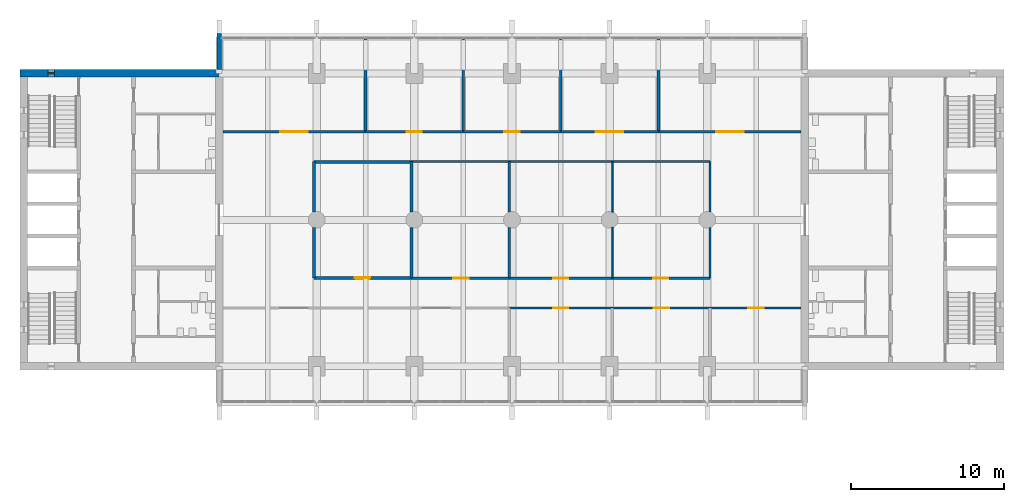
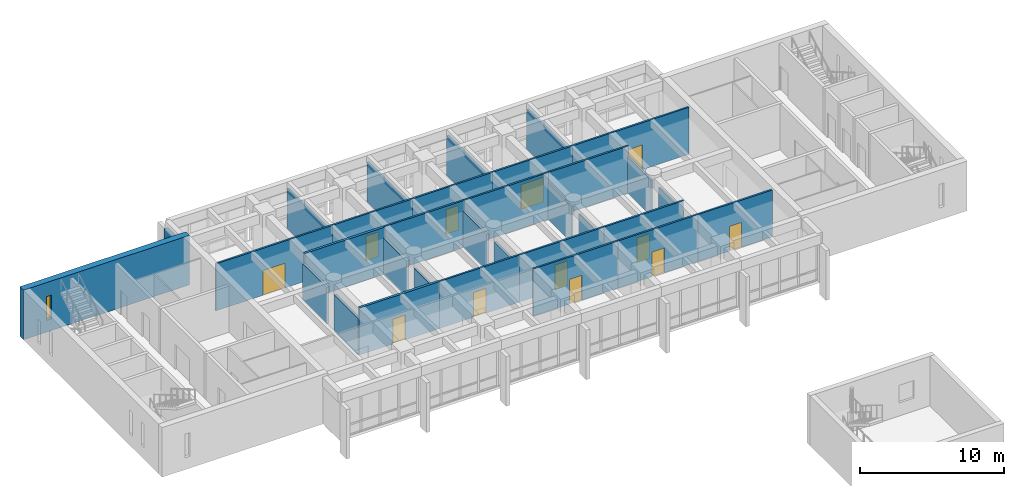
# One storey, part 12 of 18: 32 walls, 12 doors, 1 window, 13 openings.
"""IFC4 building model written with IfcOpenShell, lengths in metres."""

from ifc_helpers import new_model, si_unit, direction, frame, frame_2d, origin, place, context, subcontext, project, spatial, rectangle, extrude, material, layer, layer_set, type_object, element, fill, save


model = new_model("IFC4")

# Units and contexts
model_context = context("Model", 3, precision=1e-05, world=origin(), true_north=direction((0.0, 1.0)))
body_context = subcontext(model_context, "Body", "Model", "MODEL_VIEW")
ifc_project = project(units=[si_unit("LENGTHUNIT", "METRE"), si_unit("AREAUNIT", "SQUARE_METRE"), si_unit("VOLUMEUNIT", "CUBIC_METRE"), si_unit("PLANEANGLEUNIT", "RADIAN"), si_unit("MASSUNIT", "GRAM", prefix="KILO")], contexts=[model_context])

# Site, building, storey
site_placement = place(None, origin())
site = spatial("IfcSite", under=ifc_project, at=site_placement, CompositionType="ELEMENT")
building_placement = place(site_placement, origin())
building = spatial("IfcBuilding", under=site, at=building_placement, Name="Fogon Plaza Fire Station and Headquarters Tower", CompositionType="ELEMENT")
storey_placement = place(building_placement, frame((0.0, 0.0, 12.89990234375)))
storey = spatial("IfcBuildingStorey", under=building, at=storey_placement, Name="L03", CompositionType="ELEMENT", Elevation=12.89990234375)

# Wall
ifc_material_1 = material(Name="Concrete C40", Category="concrete")
ifc_layer_1 = layer(ifc_material_1, 0.300048828125)
ifc_layer_set_1 = layer_set([ifc_layer_1], Name="Concrete C40")
wall_type_1 = type_object("IfcWallType", Name="Fair-faced RC Return Panel 300", PredefinedType="SOLIDWALL", material=ifc_layer_set_1)
wall_1_placement = place(storey_placement, frame((25.60009765625, 53.050048828125, 0.0), z_axis=(0.0, 0.0, 1.0), x_axis=(0.0, 1.0, 0.0)))
element("IfcWall", 1, at=wall_1_placement, inside=storey, type_object=wall_type_1, Name="Bar end return WN L03", PredefinedType="SOLIDWALL", context=body_context, shape_type="SweptSolid", body=[
    extrude(rectangle(XDim=2.349853515625, YDim=0.300048828125, at=frame_2d((1.1748046875, 0.0))), origin(), (0.0, 0.0, 1.0), 3.18017578125),
])

# Wall, opening, window
ifc_material_2 = material(Name="Concrete C40", Category="concrete")
ifc_layer_2 = layer(ifc_material_2, 0.5)
ifc_layer_set_2 = layer_set([ifc_layer_2], Name="Concrete C40")
wall_type_2 = type_object("IfcWallType", Name="Shear wall 500 SW50", PredefinedType="SHEAR", material=ifc_layer_set_2)
wall_2_placement = place(storey_placement, frame((12.550048828125, 52.800048828125, 0.0), z_axis=(0.0, 0.0, 1.0), x_axis=(1.0, 0.0, 0.0)))
wall_2 = element("IfcWall", 2, at=wall_2_placement, inside=storey, type_object=wall_type_2, Name="wall-coreA-N-L03", PredefinedType="SHEAR", context=body_context, shape_type="SweptSolid", body=[
    extrude(rectangle(XDim=13.300048828125, YDim=0.5, at=frame_2d((6.64990234375, 0.0))), origin(), (0.0, 0.0, 1.0), 4.2001953125),
])
opening_1_placement = place(wall_2_placement, frame((1.85009765625, 0.0, 1.0)))
opening_1 = element("IfcOpeningElement", 3, at=opening_1_placement, cuts=wall_2, Name="Opening WS1", PredefinedType="OPENING", context=body_context, shape_type="SweptSolid", body=[
    extrude(rectangle(XDim=0.39990234375, YDim=2.0, at=frame_2d((0.199951171875, 1.0))), frame((0.0, 0.260009765625, 0.0), z_axis=(0.0, -1.0, 0.0), x_axis=(1.0, 0.0, 0.0)), (0.0, 0.0, 1.0), 0.52001953125),
])
ifc_material_3 = material(Name="Aluminium framed double glazing", Category="aluminium")
window_type = type_object("IfcWindowType", Name="Slit Window WS1 400x2000", PartitioningType="SINGLE_PANEL", PredefinedType="WINDOW", material=ifc_material_3)
window_placement = place(opening_1_placement, origin())
window = element("IfcWindow", 4, at=window_placement, inside=storey, type_object=window_type, Name="Slit window A6 L03", OverallHeight=2.0, OverallWidth=0.39990234375, PartitioningType="SINGLE_PANEL", PredefinedType="WINDOW", context=body_context, shape_type="SweptSolid", body=[
    extrude(rectangle(XDim=0.39990234375, YDim=2.0, at=frame_2d((0.199951171875, 1.0))), frame((0.0, 0.030029296875, 0.0), z_axis=(0.0, -1.0, 0.0), x_axis=(1.0, 0.0, 0.0)), (0.0, 0.0, 1.0), 0.06005859375),
])
fill(opening_1, window)

# Walls
ifc_material_4 = material(Name="Double gypsum board on twin steel stud", Category="steel")
ifc_layer_3 = layer(ifc_material_4, 0.175048828125)
ifc_layer_set_3 = layer_set([ifc_layer_3], Name="Double gypsum board on twin steel stud")
wall_type_3 = type_object("IfcWallType", Name="Tower acoustic partition 175 Beam Head 600", PredefinedType="PARTITIONING", material=ifc_layer_set_3)
for number, where, z_axis, x_axis, name in (
    (5, (35.199951171875, 48.97509765625, 0.0), (0.0, 0.0, 1.0), (0.0, 1.0, 0.0), "part-L03-30"),
    (6, (41.60009765625, 48.97509765625, 0.0), (0.0, 0.0, 1.0), (0.0, 1.0, 0.0), "part-L03-31"),
    (7, (48.0, 48.97509765625, 0.0), (0.0, 0.0, 1.0), (0.0, 1.0, 0.0), "part-L03-32"),
    (8, (54.39990234375, 48.97509765625, 0.0), (0.0, 0.0, 1.0), (0.0, 1.0, 0.0), "part-L03-33"),
):
    element("IfcWall", number, at=place(storey_placement, frame(where, z_axis=z_axis, x_axis=x_axis)), inside=storey, type_object=wall_type_3, Name=name, PredefinedType="PARTITIONING", context=body_context, shape_type="SweptSolid", body=[
        extrude(rectangle(XDim=6.125, YDim=0.175048828125, at=frame_2d((3.0625, 0.0))), origin(), (0.0, 0.0, 1.0), 3.380126953125),
    ])
ifc_material_5 = material(Name="Double gypsum board on twin steel stud", Category="steel")
ifc_layer_4 = layer(ifc_material_5, 0.175048828125)
ifc_layer_set_4 = layer_set([ifc_layer_4], Name="Double gypsum board on twin steel stud")
wall_type_4 = type_object("IfcWallType", Name="Tower acoustic partition 175 Beam Head 900", PredefinedType="PARTITIONING", material=ifc_layer_set_4)
for number, where, z_axis, x_axis, name in (
    (9, (44.6201171875, 39.375, 0.0), (0.0, 0.0, 1.0), (0.0, 1.0, 0.0), "part-L03-21"),
    (10, (44.6201171875, 43.69970703125, 0.0), (0.0, 0.0, 1.0), (0.0, 1.0, 0.0), "part-L03-22"),
):
    element("IfcWall", number, at=place(storey_placement, frame(where, z_axis=z_axis, x_axis=x_axis)), inside=storey, type_object=wall_type_4, Name=name, PredefinedType="PARTITIONING", context=body_context, shape_type="SweptSolid", body=[
        extrude(rectangle(XDim=3.3251953125, YDim=0.175048828125, at=frame_2d((1.66259765625, 0.0))), origin(), (0.0, 0.0, 1.0), 3.080078125),
    ])

# Wall, opening, door
ifc_material_6 = material(Name="Concrete block masonry", Category="masonry")
ifc_layer_5 = layer(ifc_material_6, 0.199951171875)
ifc_layer_set_5 = layer_set([ifc_layer_5], Name="Concrete block masonry")
wall_type_5 = type_object("IfcWallType", Name="Tower compartment wall 200 EI 120", PredefinedType="PARTITIONING", material=ifc_layer_set_5)
wall_3_placement = place(storey_placement, frame((31.820068359375, 39.39990234375, 0.0), z_axis=(0.0, 0.0, 1.0), x_axis=(1.0, 0.0, 0.0)))
wall_3 = element("IfcWall", 11, at=wall_3_placement, inside=storey, type_object=wall_type_5, Name="part-L03-11", PredefinedType="PARTITIONING", context=body_context, shape_type="SweptSolid", body=[
    extrude(rectangle(XDim=6.39990234375, YDim=0.199951171875, at=frame_2d((3.199951171875, 0.0))), origin(), (0.0, 0.0, 1.0), 3.97998046875),
])
opening_2_placement = place(wall_3_placement, frame((2.679931640625, 0.0, 0.0)))
opening_2 = element("IfcOpeningElement", 12, at=opening_2_placement, cuts=wall_3, Name="Opening L03-D34", PredefinedType="OPENING", context=body_context, shape_type="SweptSolid", body=[
    extrude(rectangle(XDim=1.0, YDim=2.10009765625, at=frame_2d((0.5, 1.050048828125))), frame((0.0, 0.10986328125, 0.0), z_axis=(0.0, -1.0, 0.0), x_axis=(1.0, 0.0, 0.0)), (0.0, 0.0, 1.0), 0.219970703125),
])
ifc_material_7 = material(Name="Steel fire door", Category="steel")
door_type_1 = type_object("IfcDoorType", Name="Tower compartment door single 1000 EI 90", OperationType="SINGLE_SWING_LEFT", PredefinedType="DOOR", material=ifc_material_7)
door_1_placement = place(opening_2_placement, origin())
door_1 = element("IfcDoor", 13, at=door_1_placement, inside=storey, type_object=door_type_1, Name="door-L03-06", OperationType="SINGLE_SWING_LEFT", OverallHeight=2.10009765625, OverallWidth=1.0, PredefinedType="DOOR", context=body_context, shape_type="SweptSolid", body=[
    extrude(rectangle(XDim=1.0, YDim=2.10009765625, at=frame_2d((0.5, 1.050048828125))), frame((0.0, 0.02490234375, 0.0), z_axis=(0.0, -1.0, 0.0), x_axis=(1.0, 0.0, 0.0)), (0.0, 0.0, 1.0), 0.050048828125),
])
fill(opening_2, door_1)

# Walls
wall_4_placement = place(storey_placement, frame((31.820068359375, 47.0, 0.0), z_axis=(0.0, 0.0, 1.0), x_axis=(1.0, 0.0, 0.0)))
element("IfcWall", 14, at=wall_4_placement, inside=storey, type_object=wall_type_5, Name="part-L03-12", PredefinedType="PARTITIONING", context=body_context, shape_type="SweptSolid", body=[
    extrude(rectangle(XDim=6.39990234375, YDim=0.199951171875, at=frame_2d((3.199951171875, 0.0))), origin(), (0.0, 0.0, 1.0), 3.97998046875),
])
ifc_material_8 = material(Name="Concrete block masonry", Category="masonry")
ifc_layer_6 = layer(ifc_material_8, 0.199951171875)
ifc_layer_set_6 = layer_set([ifc_layer_6], Name="Concrete block masonry")
wall_type_6 = type_object("IfcWallType", Name="Tower compartment wall 200 EI 120 Beam Head 900", PredefinedType="PARTITIONING", material=ifc_layer_set_6)
for number, where, z_axis, x_axis, name in (
    (15, (38.219970703125, 39.375, 0.0), (0.0, 0.0, 1.0), (0.0, 1.0, 0.0), "part-L03-19"),
    (16, (38.219970703125, 43.69970703125, 0.0), (0.0, 0.0, 1.0), (0.0, 1.0, 0.0), "part-L03-20"),
    (17, (31.820068359375, 39.375, 0.0), (0.0, 0.0, 1.0), (0.0, 1.0, 0.0), "part-L03-34"),
    (18, (31.820068359375, 43.69970703125, 0.0), (0.0, 0.0, 1.0), (0.0, 1.0, 0.0), "part-L03-35"),
):
    element("IfcWall", number, at=place(storey_placement, frame(where, z_axis=z_axis, x_axis=x_axis)), inside=storey, type_object=wall_type_6, Name=name, PredefinedType="PARTITIONING", context=body_context, shape_type="SweptSolid", body=[
        extrude(rectangle(XDim=3.3251953125, YDim=0.199951171875, at=frame_2d((1.66259765625, 0.0))), origin(), (0.0, 0.0, 1.0), 3.080078125),
    ])

# Wall, opening, door
ifc_material_9 = material(Name="Gypsum board on steel stud", Category="steel")
ifc_layer_7 = layer(ifc_material_9, 0.14990234375)
ifc_layer_set_7 = layer_set([ifc_layer_7], Name="Gypsum board on steel stud")
wall_type_7 = type_object("IfcWallType", Name="Tower corridor partition 150 EI 60", PredefinedType="PARTITIONING", material=ifc_layer_set_7)
wall_5_placement = place(storey_placement, frame((44.6201171875, 37.425048828125, 0.0), z_axis=(0.0, 0.0, 1.0), x_axis=(1.0, 0.0, 0.0)))
wall_5 = element("IfcWall", 19, at=wall_5_placement, inside=storey, type_object=wall_type_7, Name="part-L03-02", PredefinedType="PARTITIONING", context=body_context, shape_type="SweptSolid", body=[
    extrude(rectangle(XDim=6.759765625, YDim=0.14990234375, at=frame_2d((3.3798828125, 0.0))), origin(), (0.0, 0.0, 1.0), 3.97998046875),
])
opening_3_placement = place(wall_5_placement, frame((2.8798828125, 0.0, 0.0)))
opening_3 = element("IfcOpeningElement", 20, at=opening_3_placement, cuts=wall_5, Name="Opening L03-D31", PredefinedType="OPENING", context=body_context, shape_type="SweptSolid", body=[
    extrude(rectangle(XDim=1.0, YDim=2.10009765625, at=frame_2d((0.5, 1.050048828125))), frame((0.0, 0.0849609375, 0.0), z_axis=(0.0, -1.0, 0.0), x_axis=(1.0, 0.0, 0.0)), (0.0, 0.0, 1.0), 0.169921875),
])
ifc_material_10 = material(Name="Timber fire door", Category="wood")
door_type_2 = type_object("IfcDoorType", Name="Tower fire door single 1000 EI 20", OperationType="SINGLE_SWING_LEFT", PredefinedType="DOOR", material=ifc_material_10)
door_2_placement = place(opening_3_placement, frame((1.0, 0.0, 0.0), z_axis=(0.0, 0.0, 1.0), x_axis=(-1.0, 0.0, 0.0)))
door_2 = element("IfcDoor", 21, at=door_2_placement, inside=storey, type_object=door_type_2, Name="door-L03-03", OperationType="SINGLE_SWING_LEFT", OverallHeight=2.10009765625, OverallWidth=1.0, PredefinedType="DOOR", context=body_context, shape_type="SweptSolid", body=[
    extrude(rectangle(XDim=1.0, YDim=2.10009765625, at=frame_2d((0.5, 1.050048828125))), frame((0.0, 0.02490234375, 0.0), z_axis=(0.0, -1.0, 0.0), x_axis=(1.0, 0.0, 0.0)), (0.0, 0.0, 1.0), 0.050048828125),
])
fill(opening_3, door_2)

wall_6_placement = place(storey_placement, frame((51.3798828125, 37.425048828125, 0.0), z_axis=(0.0, 0.0, 1.0), x_axis=(1.0, 0.0, 0.0)))
wall_6 = element("IfcWall", 22, at=wall_6_placement, inside=storey, type_object=wall_type_7, Name="part-L03-03", PredefinedType="PARTITIONING", context=body_context, shape_type="SweptSolid", body=[
    extrude(rectangle(XDim=6.400146484375, YDim=0.14990234375, at=frame_2d((3.2001953125, 0.0))), origin(), (0.0, 0.0, 1.0), 3.97998046875),
])
opening_4_placement = place(wall_6_placement, frame((2.719970703125, 0.0, 0.0)))
opening_4 = element("IfcOpeningElement", 23, at=opening_4_placement, cuts=wall_6, Name="Opening L03-D32", PredefinedType="OPENING", context=body_context, shape_type="SweptSolid", body=[
    extrude(rectangle(XDim=1.0, YDim=2.10009765625, at=frame_2d((0.5, 1.050048828125))), frame((0.0, 0.0849609375, 0.0), z_axis=(0.0, -1.0, 0.0), x_axis=(1.0, 0.0, 0.0)), (0.0, 0.0, 1.0), 0.169921875),
])
door_3_placement = place(opening_4_placement, frame((1.0, 0.0, 0.0), z_axis=(0.0, 0.0, 1.0), x_axis=(-1.0, 0.0, 0.0)))
door_3 = element("IfcDoor", 24, at=door_3_placement, inside=storey, type_object=door_type_2, Name="door-L03-04", OperationType="SINGLE_SWING_RIGHT", OverallHeight=2.10009765625, OverallWidth=1.0, PredefinedType="DOOR", context=body_context, shape_type="SweptSolid", body=[
    extrude(rectangle(XDim=1.0, YDim=2.10009765625, at=frame_2d((0.5, 1.050048828125))), frame((0.0, 0.02490234375, 0.0), z_axis=(0.0, -1.0, 0.0), x_axis=(1.0, 0.0, 0.0)), (0.0, 0.0, 1.0), 0.050048828125),
])
fill(opening_4, door_3)

wall_7_placement = place(storey_placement, frame((57.780029296875, 37.425048828125, 0.0), z_axis=(0.0, 0.0, 1.0), x_axis=(1.0, 0.0, 0.0)))
wall_7 = element("IfcWall", 25, at=wall_7_placement, inside=storey, type_object=wall_type_7, Name="part-L03-04", PredefinedType="PARTITIONING", context=body_context, shape_type="SweptSolid", body=[
    extrude(rectangle(XDim=5.969970703125, YDim=0.14990234375, at=frame_2d((2.98486328125, 0.0))), origin(), (0.0, 0.0, 1.0), 3.97998046875),
])
opening_5_placement = place(wall_7_placement, frame((2.52001953125, 0.0, 0.0)))
opening_5 = element("IfcOpeningElement", 26, at=opening_5_placement, cuts=wall_7, Name="Opening L03-D33", PredefinedType="OPENING", context=body_context, shape_type="SweptSolid", body=[
    extrude(rectangle(XDim=1.0, YDim=2.10009765625, at=frame_2d((0.5, 1.050048828125))), frame((0.0, 0.0849609375, 0.0), z_axis=(0.0, -1.0, 0.0), x_axis=(1.0, 0.0, 0.0)), (0.0, 0.0, 1.0), 0.169921875),
])
door_4_placement = place(opening_5_placement, frame((1.0, 0.0, 0.0), z_axis=(0.0, 0.0, 1.0), x_axis=(-1.0, 0.0, 0.0)))
door_4 = element("IfcDoor", 27, at=door_4_placement, inside=storey, type_object=door_type_2, Name="door-L03-05", OperationType="SINGLE_SWING_LEFT", OverallHeight=2.10009765625, OverallWidth=1.0, PredefinedType="DOOR", context=body_context, shape_type="SweptSolid", body=[
    extrude(rectangle(XDim=1.0, YDim=2.10009765625, at=frame_2d((0.5, 1.050048828125))), frame((0.0, 0.02490234375, 0.0), z_axis=(0.0, -1.0, 0.0), x_axis=(1.0, 0.0, 0.0)), (0.0, 0.0, 1.0), 0.050048828125),
])
fill(opening_5, door_4)

wall_8_placement = place(storey_placement, frame((38.219970703125, 39.375, 0.0), z_axis=(0.0, 0.0, 1.0), x_axis=(1.0, 0.0, 0.0)))
wall_8 = element("IfcWall", 28, at=wall_8_placement, inside=storey, type_object=wall_type_7, Name="part-L03-13", PredefinedType="PARTITIONING", context=body_context, shape_type="SweptSolid", body=[
    extrude(rectangle(XDim=6.400146484375, YDim=0.14990234375, at=frame_2d((3.2001953125, 0.0))), origin(), (0.0, 0.0, 1.0), 3.97998046875),
])
opening_6_placement = place(wall_8_placement, frame((2.72998046875, 0.0, 0.0)))
opening_6 = element("IfcOpeningElement", 29, at=opening_6_placement, cuts=wall_8, Name="Opening L03-D35", PredefinedType="OPENING", context=body_context, shape_type="SweptSolid", body=[
    extrude(rectangle(XDim=1.0, YDim=2.10009765625, at=frame_2d((0.5, 1.050048828125))), frame((0.0, 0.0849609375, 0.0), z_axis=(0.0, -1.0, 0.0), x_axis=(1.0, 0.0, 0.0)), (0.0, 0.0, 1.0), 0.169921875),
])
door_5_placement = place(opening_6_placement, origin())
door_5 = element("IfcDoor", 30, at=door_5_placement, inside=storey, type_object=door_type_2, Name="door-L03-07", OperationType="SINGLE_SWING_RIGHT", OverallHeight=2.10009765625, OverallWidth=1.0, PredefinedType="DOOR", context=body_context, shape_type="SweptSolid", body=[
    extrude(rectangle(XDim=1.0, YDim=2.10009765625, at=frame_2d((0.5, 1.050048828125))), frame((0.0, 0.02490234375, 0.0), z_axis=(0.0, -1.0, 0.0), x_axis=(1.0, 0.0, 0.0)), (0.0, 0.0, 1.0), 0.050048828125),
])
fill(opening_6, door_5)

# Wall
wall_9_placement = place(storey_placement, frame((38.219970703125, 47.02490234375, 0.0), z_axis=(0.0, 0.0, 1.0), x_axis=(1.0, 0.0, 0.0)))
element("IfcWall", 31, at=wall_9_placement, inside=storey, type_object=wall_type_7, Name="part-L03-14", PredefinedType="PARTITIONING", context=body_context, shape_type="SweptSolid", body=[
    extrude(rectangle(XDim=6.400146484375, YDim=0.14990234375, at=frame_2d((3.2001953125, 0.0))), origin(), (0.0, 0.0, 1.0), 3.97998046875),
])

# Wall, opening, door
wall_10_placement = place(storey_placement, frame((44.6201171875, 39.375, 0.0), z_axis=(0.0, 0.0, 1.0), x_axis=(1.0, 0.0, 0.0)))
wall_10 = element("IfcWall", 32, at=wall_10_placement, inside=storey, type_object=wall_type_7, Name="part-L03-15", PredefinedType="PARTITIONING", context=body_context, shape_type="SweptSolid", body=[
    extrude(rectangle(XDim=6.759765625, YDim=0.14990234375, at=frame_2d((3.3798828125, 0.0))), origin(), (0.0, 0.0, 1.0), 3.97998046875),
])
opening_7_placement = place(wall_10_placement, frame((2.8798828125, 0.0, 0.0)))
opening_7 = element("IfcOpeningElement", 33, at=opening_7_placement, cuts=wall_10, Name="Opening L03-D36", PredefinedType="OPENING", context=body_context, shape_type="SweptSolid", body=[
    extrude(rectangle(XDim=1.0, YDim=2.10009765625, at=frame_2d((0.5, 1.050048828125))), frame((0.0, 0.0849609375, 0.0), z_axis=(0.0, -1.0, 0.0), x_axis=(1.0, 0.0, 0.0)), (0.0, 0.0, 1.0), 0.169921875),
])
door_6_placement = place(opening_7_placement, origin())
door_6 = element("IfcDoor", 34, at=door_6_placement, inside=storey, type_object=door_type_2, Name="door-L03-08", OperationType="SINGLE_SWING_LEFT", OverallHeight=2.10009765625, OverallWidth=1.0, PredefinedType="DOOR", context=body_context, shape_type="SweptSolid", body=[
    extrude(rectangle(XDim=1.0, YDim=2.10009765625, at=frame_2d((0.5, 1.050048828125))), frame((0.0, 0.02490234375, 0.0), z_axis=(0.0, -1.0, 0.0), x_axis=(1.0, 0.0, 0.0)), (0.0, 0.0, 1.0), 0.050048828125),
])
fill(opening_7, door_6)

# Wall
wall_11_placement = place(storey_placement, frame((44.6201171875, 47.02490234375, 0.0), z_axis=(0.0, 0.0, 1.0), x_axis=(1.0, 0.0, 0.0)))
element("IfcWall", 35, at=wall_11_placement, inside=storey, type_object=wall_type_7, Name="part-L03-16", PredefinedType="PARTITIONING", context=body_context, shape_type="SweptSolid", body=[
    extrude(rectangle(XDim=6.759765625, YDim=0.14990234375, at=frame_2d((3.3798828125, 0.0))), origin(), (0.0, 0.0, 1.0), 3.97998046875),
])

# Wall, opening, door
wall_12_placement = place(storey_placement, frame((51.3798828125, 39.375, 0.0), z_axis=(0.0, 0.0, 1.0), x_axis=(1.0, 0.0, 0.0)))
wall_12 = element("IfcWall", 36, at=wall_12_placement, inside=storey, type_object=wall_type_7, Name="part-L03-17", PredefinedType="PARTITIONING", context=body_context, shape_type="SweptSolid", body=[
    extrude(rectangle(XDim=6.400146484375, YDim=0.14990234375, at=frame_2d((3.2001953125, 0.0))), origin(), (0.0, 0.0, 1.0), 3.97998046875),
])
opening_8_placement = place(wall_12_placement, frame((2.669921875, 0.0, 0.0)))
opening_8 = element("IfcOpeningElement", 37, at=opening_8_placement, cuts=wall_12, Name="Opening L03-D37", PredefinedType="OPENING", context=body_context, shape_type="SweptSolid", body=[
    extrude(rectangle(XDim=1.0, YDim=2.10009765625, at=frame_2d((0.5, 1.050048828125))), frame((0.0, 0.0849609375, 0.0), z_axis=(0.0, -1.0, 0.0), x_axis=(1.0, 0.0, 0.0)), (0.0, 0.0, 1.0), 0.169921875),
])
door_7_placement = place(opening_8_placement, origin())
door_7 = element("IfcDoor", 38, at=door_7_placement, inside=storey, type_object=door_type_2, Name="door-L03-09", OperationType="SINGLE_SWING_RIGHT", OverallHeight=2.10009765625, OverallWidth=1.0, PredefinedType="DOOR", context=body_context, shape_type="SweptSolid", body=[
    extrude(rectangle(XDim=1.0, YDim=2.10009765625, at=frame_2d((0.5, 1.050048828125))), frame((0.0, 0.02490234375, 0.0), z_axis=(0.0, -1.0, 0.0), x_axis=(1.0, 0.0, 0.0)), (0.0, 0.0, 1.0), 0.050048828125),
])
fill(opening_8, door_7)

# Wall
wall_13_placement = place(storey_placement, frame((51.3798828125, 47.02490234375, 0.0), z_axis=(0.0, 0.0, 1.0), x_axis=(1.0, 0.0, 0.0)))
element("IfcWall", 39, at=wall_13_placement, inside=storey, type_object=wall_type_7, Name="part-L03-18", PredefinedType="PARTITIONING", context=body_context, shape_type="SweptSolid", body=[
    extrude(rectangle(XDim=6.400146484375, YDim=0.14990234375, at=frame_2d((3.2001953125, 0.0))), origin(), (0.0, 0.0, 1.0), 3.97998046875),
])

# Wall, opening, door
wall_14_placement = place(storey_placement, frame((25.85009765625, 48.97509765625, 0.0), z_axis=(0.0, 0.0, 1.0), x_axis=(1.0, 0.0, 0.0)))
wall_14 = element("IfcWall", 40, at=wall_14_placement, inside=storey, type_object=wall_type_7, Name="part-L03-25", PredefinedType="PARTITIONING", context=body_context, shape_type="SweptSolid", body=[
    extrude(rectangle(XDim=9.349853515625, YDim=0.14990234375, at=frame_2d((4.6748046875, 0.0))), origin(), (0.0, 0.0, 1.0), 3.97998046875),
])
opening_9_placement = place(wall_14_placement, frame((3.75, 0.0, 0.0)))
opening_9 = element("IfcOpeningElement", 41, at=opening_9_placement, cuts=wall_14, Name="Opening L03-D38", PredefinedType="OPENING", context=body_context, shape_type="SweptSolid", body=[
    extrude(rectangle(XDim=1.800048828125, YDim=2.10009765625, at=frame_2d((0.89990234375, 1.050048828125))), frame((0.0, 0.0849609375, 0.0), z_axis=(0.0, -1.0, 0.0), x_axis=(1.0, 0.0, 0.0)), (0.0, 0.0, 1.0), 0.169921875),
])
ifc_material_11 = material(Name="Timber fire door", Category="wood")
door_type_3 = type_object("IfcDoorType", Name="Tower fire door double 1800 EI 20", OperationType="DOUBLE_DOOR_SINGLE_SWING", PredefinedType="DOOR", material=ifc_material_11)
door_8_placement = place(opening_9_placement, origin())
door_8 = element("IfcDoor", 42, at=door_8_placement, inside=storey, type_object=door_type_3, Name="door-L03-10", OperationType="DOUBLE_DOOR_SINGLE_SWING", OverallHeight=2.10009765625, OverallWidth=1.800048828125, PredefinedType="DOOR", context=body_context, shape_type="SweptSolid", body=[
    extrude(rectangle(XDim=1.800048828125, YDim=2.10009765625, at=frame_2d((0.89990234375, 1.050048828125))), frame((0.0, 0.02490234375, 0.0), z_axis=(0.0, -1.0, 0.0), x_axis=(1.0, 0.0, 0.0)), (0.0, 0.0, 1.0), 0.050048828125),
])
fill(opening_9, door_8)

wall_15_placement = place(storey_placement, frame((35.199951171875, 48.97509765625, 0.0), z_axis=(0.0, 0.0, 1.0), x_axis=(1.0, 0.0, 0.0)))
wall_15 = element("IfcWall", 43, at=wall_15_placement, inside=storey, type_object=wall_type_7, Name="part-L03-26", PredefinedType="PARTITIONING", context=body_context, shape_type="SweptSolid", body=[
    extrude(rectangle(XDim=6.400146484375, YDim=0.14990234375, at=frame_2d((3.2001953125, 0.0))), origin(), (0.0, 0.0, 1.0), 3.97998046875),
])
opening_10_placement = place(wall_15_placement, frame((2.699951171875, 0.0, 0.0)))
opening_10 = element("IfcOpeningElement", 44, at=opening_10_placement, cuts=wall_15, Name="Opening L03-D39", PredefinedType="OPENING", context=body_context, shape_type="SweptSolid", body=[
    extrude(rectangle(XDim=1.0, YDim=2.10009765625, at=frame_2d((0.5, 1.050048828125))), frame((0.0, 0.0849609375, 0.0), z_axis=(0.0, -1.0, 0.0), x_axis=(1.0, 0.0, 0.0)), (0.0, 0.0, 1.0), 0.169921875),
])
door_9_placement = place(opening_10_placement, origin())
door_9 = element("IfcDoor", 45, at=door_9_placement, inside=storey, type_object=door_type_2, Name="door-L03-11", OperationType="SINGLE_SWING_LEFT", OverallHeight=2.10009765625, OverallWidth=1.0, PredefinedType="DOOR", context=body_context, shape_type="SweptSolid", body=[
    extrude(rectangle(XDim=1.0, YDim=2.10009765625, at=frame_2d((0.5, 1.050048828125))), frame((0.0, 0.02490234375, 0.0), z_axis=(0.0, -1.0, 0.0), x_axis=(1.0, 0.0, 0.0)), (0.0, 0.0, 1.0), 0.050048828125),
])
fill(opening_10, door_9)

wall_16_placement = place(storey_placement, frame((41.60009765625, 48.97509765625, 0.0), z_axis=(0.0, 0.0, 1.0), x_axis=(1.0, 0.0, 0.0)))
wall_16 = element("IfcWall", 46, at=wall_16_placement, inside=storey, type_object=wall_type_7, Name="part-L03-27", PredefinedType="PARTITIONING", context=body_context, shape_type="SweptSolid", body=[
    extrude(rectangle(XDim=6.39990234375, YDim=0.14990234375, at=frame_2d((3.199951171875, 0.0))), origin(), (0.0, 0.0, 1.0), 3.97998046875),
])
opening_11_placement = place(wall_16_placement, frame((2.699951171875, 0.0, 0.0)))
opening_11 = element("IfcOpeningElement", 47, at=opening_11_placement, cuts=wall_16, Name="Opening L03-D40", PredefinedType="OPENING", context=body_context, shape_type="SweptSolid", body=[
    extrude(rectangle(XDim=1.0, YDim=2.10009765625, at=frame_2d((0.5, 1.050048828125))), frame((0.0, 0.0849609375, 0.0), z_axis=(0.0, -1.0, 0.0), x_axis=(1.0, 0.0, 0.0)), (0.0, 0.0, 1.0), 0.169921875),
])
ifc_material_12 = material(Name="Fire rated glazed door")
door_type_4 = type_object("IfcDoorType", Name="Tower glazed fire door single 1000 EI 20", OperationType="SINGLE_SWING_LEFT", PredefinedType="DOOR", material=ifc_material_12)
door_10_placement = place(opening_11_placement, origin())
door_10 = element("IfcDoor", 48, at=door_10_placement, inside=storey, type_object=door_type_4, Name="door-L03-12", OperationType="SINGLE_SWING_RIGHT", OverallHeight=2.10009765625, OverallWidth=1.0, PredefinedType="DOOR", context=body_context, shape_type="SweptSolid", body=[
    extrude(rectangle(XDim=1.0, YDim=2.10009765625, at=frame_2d((0.5, 1.050048828125))), frame((0.0, 0.02490234375, 0.0), z_axis=(0.0, -1.0, 0.0), x_axis=(1.0, 0.0, 0.0)), (0.0, 0.0, 1.0), 0.050048828125),
])
fill(opening_11, door_10)

wall_17_placement = place(storey_placement, frame((48.0, 48.97509765625, 0.0), z_axis=(0.0, 0.0, 1.0), x_axis=(1.0, 0.0, 0.0)))
wall_17 = element("IfcWall", 49, at=wall_17_placement, inside=storey, type_object=wall_type_7, Name="part-L03-28", PredefinedType="PARTITIONING", context=body_context, shape_type="SweptSolid", body=[
    extrude(rectangle(XDim=6.39990234375, YDim=0.14990234375, at=frame_2d((3.199951171875, 0.0))), origin(), (0.0, 0.0, 1.0), 3.97998046875),
])
opening_12_placement = place(wall_17_placement, frame((2.300048828125, 0.0, 0.0)))
opening_12 = element("IfcOpeningElement", 50, at=opening_12_placement, cuts=wall_17, Name="Opening L03-D41", PredefinedType="OPENING", context=body_context, shape_type="SweptSolid", body=[
    extrude(rectangle(XDim=1.800048828125, YDim=2.10009765625, at=frame_2d((0.89990234375, 1.050048828125))), frame((0.0, 0.0849609375, 0.0), z_axis=(0.0, -1.0, 0.0), x_axis=(1.0, 0.0, 0.0)), (0.0, 0.0, 1.0), 0.169921875),
])
door_11_placement = place(opening_12_placement, origin())
door_11 = element("IfcDoor", 51, at=door_11_placement, inside=storey, type_object=door_type_3, Name="door-L03-13", OperationType="DOUBLE_DOOR_SINGLE_SWING", OverallHeight=2.10009765625, OverallWidth=1.800048828125, PredefinedType="DOOR", context=body_context, shape_type="SweptSolid", body=[
    extrude(rectangle(XDim=1.800048828125, YDim=2.10009765625, at=frame_2d((0.89990234375, 1.050048828125))), frame((0.0, 0.02490234375, 0.0), z_axis=(0.0, -1.0, 0.0), x_axis=(1.0, 0.0, 0.0)), (0.0, 0.0, 1.0), 0.050048828125),
])
fill(opening_12, door_11)

wall_18_placement = place(storey_placement, frame((54.39990234375, 48.97509765625, 0.0), z_axis=(0.0, 0.0, 1.0), x_axis=(1.0, 0.0, 0.0)))
wall_18 = element("IfcWall", 52, at=wall_18_placement, inside=storey, type_object=wall_type_7, Name="part-L03-29", PredefinedType="PARTITIONING", context=body_context, shape_type="SweptSolid", body=[
    extrude(rectangle(XDim=9.35009765625, YDim=0.14990234375, at=frame_2d((4.675048828125, 0.0))), origin(), (0.0, 0.0, 1.0), 3.97998046875),
])
opening_13_placement = place(wall_18_placement, frame((3.800048828125, 0.0, 0.0)))
opening_13 = element("IfcOpeningElement", 53, at=opening_13_placement, cuts=wall_18, Name="Opening L03-D42", PredefinedType="OPENING", context=body_context, shape_type="SweptSolid", body=[
    extrude(rectangle(XDim=1.800048828125, YDim=2.10009765625, at=frame_2d((0.89990234375, 1.050048828125))), frame((0.0, 0.0849609375, 0.0), z_axis=(0.0, -1.0, 0.0), x_axis=(1.0, 0.0, 0.0)), (0.0, 0.0, 1.0), 0.169921875),
])
door_12_placement = place(opening_13_placement, origin())
door_12 = element("IfcDoor", 54, at=door_12_placement, inside=storey, type_object=door_type_3, Name="door-L03-14", OperationType="DOUBLE_DOOR_SINGLE_SWING", OverallHeight=2.10009765625, OverallWidth=1.800048828125, PredefinedType="DOOR", context=body_context, shape_type="SweptSolid", body=[
    extrude(rectangle(XDim=1.800048828125, YDim=2.10009765625, at=frame_2d((0.89990234375, 1.050048828125))), frame((0.0, 0.02490234375, 0.0), z_axis=(0.0, -1.0, 0.0), x_axis=(1.0, 0.0, 0.0)), (0.0, 0.0, 1.0), 0.050048828125),
])
fill(opening_13, door_12)

# Walls
ifc_material_13 = material(Name="Gypsum board on steel stud", Category="steel")
ifc_layer_8 = layer(ifc_material_13, 0.14990234375)
ifc_layer_set_8 = layer_set([ifc_layer_8], Name="Gypsum board on steel stud")
wall_type_8 = type_object("IfcWallType", Name="Tower corridor partition 150 EI 60 Beam Head 900", PredefinedType="PARTITIONING", material=ifc_layer_set_8)
for number, where, z_axis, x_axis, name in (
    (55, (57.780029296875, 39.375, 0.0), (0.0, 0.0, 1.0), (0.0, 1.0, 0.0), "part-L03-36"),
    (56, (57.780029296875, 43.69970703125, 0.0), (0.0, 0.0, 1.0), (0.0, 1.0, 0.0), "part-L03-37"),
):
    element("IfcWall", number, at=place(storey_placement, frame(where, z_axis=z_axis, x_axis=x_axis)), inside=storey, type_object=wall_type_8, Name=name, PredefinedType="PARTITIONING", context=body_context, shape_type="SweptSolid", body=[
        extrude(rectangle(XDim=3.3251953125, YDim=0.14990234375, at=frame_2d((1.66259765625, 0.0))), origin(), (0.0, 0.0, 1.0), 3.080078125),
    ])
ifc_material_14 = material(Name="Gypsum board on steel stud", Category="steel")
ifc_layer_9 = layer(ifc_material_14, 0.10009765625)
ifc_layer_set_9 = layer_set([ifc_layer_9], Name="Gypsum board on steel stud")
wall_type_9 = type_object("IfcWallType", Name="Tower office partition 100 Beam Head 900", PredefinedType="PARTITIONING", material=ifc_layer_set_9)
for number, where, z_axis, x_axis, name in (
    (57, (51.3798828125, 39.375, 0.0), (0.0, 0.0, 1.0), (0.0, 1.0, 0.0), "part-L03-23"),
    (58, (51.3798828125, 43.69970703125, 0.0), (0.0, 0.0, 1.0), (0.0, 1.0, 0.0), "part-L03-24"),
):
    element("IfcWall", number, at=place(storey_placement, frame(where, z_axis=z_axis, x_axis=x_axis)), inside=storey, type_object=wall_type_9, Name=name, PredefinedType="PARTITIONING", context=body_context, shape_type="SweptSolid", body=[
        extrude(rectangle(XDim=3.3251953125, YDim=0.10009765625, at=frame_2d((1.66259765625, 0.0))), origin(), (0.0, 0.0, 1.0), 3.080078125),
    ])

save(model, "model.ifc")
